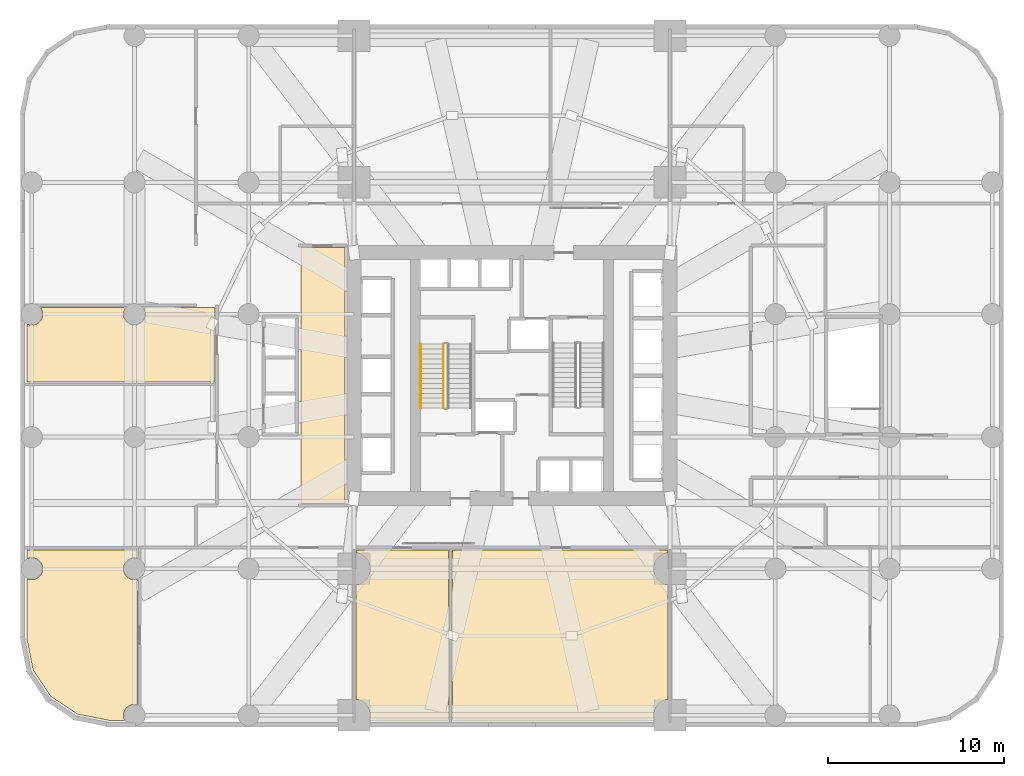
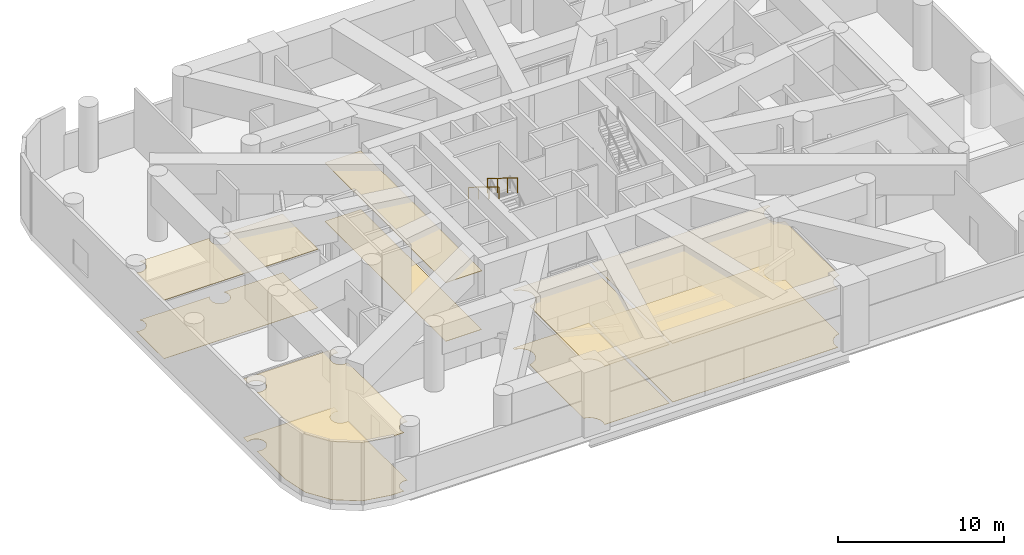
# One storey, part 9 of 10: 10 coverings, 2 railings.
"""IFC4 building model written with IfcOpenShell, lengths in metres."""

from ifc_helpers import new_model, si_unit, direction, frame, origin, origin_2d, place, context, subcontext, project, spatial, polyline, rectangle, outline, extrude, material, layer, layer_set, type_object, element, save


model = new_model("IFC4")

# Units and contexts
model_context = context("Model", 3, precision=1e-05, world=origin(), true_north=direction((0.0, 1.0)))
body_context = subcontext(model_context, "Body", "Model", "MODEL_VIEW")
ifc_project = project(units=[si_unit("LENGTHUNIT", "METRE"), si_unit("AREAUNIT", "SQUARE_METRE"), si_unit("VOLUMEUNIT", "CUBIC_METRE"), si_unit("PLANEANGLEUNIT", "RADIAN"), si_unit("MASSUNIT", "GRAM", prefix="KILO")], contexts=[model_context])

# Site, building, storey
site_placement = place(None, origin())
site = spatial("IfcSite", under=ifc_project, at=site_placement, CompositionType="ELEMENT")
building_placement = place(site_placement, origin())
building = spatial("IfcBuilding", under=site, at=building_placement, Name="Veldorim Arch Residences", CompositionType="ELEMENT")
storey_placement = place(building_placement, frame((0.0, 0.0, 20.0)))
storey = spatial("IfcBuildingStorey", under=building, at=storey_placement, Name="L05", CompositionType="ELEMENT", Elevation=20.0)

# Railing
ifc_material_1 = material(Name="Steel S355", Category="steel")
railing_type_1 = type_object("IfcRailingType", Name="Galvanised Steel Stair Safety Guardrail 1100", PredefinedType="GUARDRAIL", material=ifc_material_1)
railing_1_placement = place(storey_placement, frame((28.10009765625, 25.7900390625, 2.571533203125)))
element("IfcRailing", 1, at=railing_1_placement, inside=storey, type_object=railing_type_1, Name="L05 ST-1 stair guard 3", PredefinedType="GUARDRAIL", context=body_context, shape_type="SweptSolid", body=[
    extrude(rectangle(XDim=0.048095703125, YDim=0.048095703125, at=origin_2d()), frame((0.0, 0.0, 1.076171875), z_axis=(0.0, -0.852865859571, 0.52213008492), x_axis=(1.0, 0.0, 0.0)), (0.0, 0.0, 1.0), 4.26806640625),
    extrude(rectangle(XDim=0.0419921875, YDim=0.0419921875, at=origin_2d()), origin(), (0.0, 0.0, 1.0), 1.052001953125),
    extrude(rectangle(XDim=0.0419921875, YDim=0.0419921875, at=origin_2d()), frame((0.0, -1.21337890625, 0.742919921875)), (0.0, 0.0, 1.0), 1.052001953125),
    extrude(rectangle(XDim=0.0419921875, YDim=0.0419921875, at=origin_2d()), frame((0.0, -2.4267578125, 1.485595703125)), (0.0, 0.0, 1.0), 1.052001953125),
    extrude(rectangle(XDim=0.0419921875, YDim=0.0419921875, at=origin_2d()), frame((0.0, -3.64013671875, 2.228515625)), (0.0, 0.0, 1.0), 1.052001953125),
])

# Coverings
ifc_material_2 = material(Name="Acoustic Gypsum & Mineral Fibre", Category="gypsum")
ifc_layer_1 = layer(ifc_material_2, 0.034912109375, Name="Perforated Acoustic Mineral-Fibre Ceiling 35")
ifc_layer_set_1 = layer_set([ifc_layer_1], Name="Acoustic Gypsum & Mineral Fibre")
covering_type_1 = type_object("IfcCoveringType", Name="Perforated Acoustic Mineral-Fibre Ceiling 35", PredefinedType="CEILING", material=ifc_layer_set_1)
covering_1_placement = place(storey_placement, frame((0.0, 0.0, 4.294921875)))
element("IfcCovering", 2, at=covering_1_placement, inside=storey, type_object=covering_type_1, Name="L05 acoustic suspended ceiling 01", PredefinedType="CEILING", context=body_context, shape_type="SweptSolid", body=[
    extrude(outline(polyline([(4.3701171875, 9.036376953125), (4.3701171875, 12.4453125), (4.48828125, 12.396240234375), (4.64990234375, 12.375), (4.811767578125, 12.396240234375), (4.96240234375, 12.458740234375), (5.091796875, 12.55810546875), (5.19140625, 12.6875), (5.253662109375, 12.838134765625), (5.27490234375, 13.0), (5.253662109375, 13.161865234375), (5.19140625, 13.3125), (5.091796875, 13.44189453125), (4.96240234375, 13.541259765625), (4.811767578125, 13.603759765625), (4.64990234375, 13.625), (4.48828125, 13.603759765625), (4.3701171875, 13.5546875), (4.3701171875, 14.080078125), (10.679931640625, 14.080078125), (10.679931640625, 13.59619140625), (10.661865234375, 13.603759765625), (10.5, 13.625), (10.338134765625, 13.603759765625), (10.1875, 13.541259765625), (10.05810546875, 13.44189453125), (9.958740234375, 13.3125), (9.896240234375, 13.161865234375), (9.875, 13.0), (9.896240234375, 12.838134765625), (9.958740234375, 12.6875), (10.05810546875, 12.55810546875), (10.1875, 12.458740234375), (10.338134765625, 12.396240234375), (10.5, 12.375), (10.661865234375, 12.396240234375), (10.679931640625, 12.40380859375), (10.679931640625, 5.24609375), (10.661865234375, 5.253662109375), (10.5, 5.27490234375), (10.338134765625, 5.253662109375), (10.1875, 5.19140625), (10.05810546875, 5.091796875), (9.958740234375, 4.96240234375), (9.896240234375, 4.811767578125), (9.875, 4.64990234375), (9.896240234375, 4.48828125), (9.9453125, 4.3701171875), (9.036376953125, 4.3701171875), (7.23095703125, 4.72900390625), (5.731201171875, 5.731201171875), (4.72900390625, 7.23095703125), (4.3701171875, 9.036376953125)])), origin(), (0.0, 0.0, 1.0), 0.03515625),
])
covering_2_placement = place(storey_placement, frame((0.0, 0.0, 4.294921875)))
element("IfcCovering", 3, at=covering_2_placement, inside=storey, type_object=covering_type_1, Name="L05 acoustic suspended ceiling 02", PredefinedType="CEILING", context=body_context, shape_type="SweptSolid", body=[
    extrude(outline(polyline([(4.3701171875, 26.9453125), (4.48828125, 26.896240234375), (4.64990234375, 26.875), (4.811767578125, 26.896240234375), (4.96240234375, 26.958740234375), (5.091796875, 27.05810546875), (5.19140625, 27.1875), (5.253662109375, 27.338134765625), (5.27490234375, 27.5), (5.253662109375, 27.661865234375), (5.19140625, 27.8125), (5.139404296875, 27.8798828125), (10.010498046875, 27.8798828125), (9.958740234375, 27.8125), (9.896240234375, 27.661865234375), (9.875, 27.5), (9.896240234375, 27.338134765625), (9.958740234375, 27.1875), (10.05810546875, 27.05810546875), (10.1875, 26.958740234375), (10.338134765625, 26.896240234375), (10.5, 26.875), (10.661865234375, 26.896240234375), (10.8125, 26.958740234375), (10.94189453125, 27.05810546875), (11.041259765625, 27.1875), (11.103759765625, 27.338134765625), (11.125, 27.5), (11.103759765625, 27.661865234375), (11.041259765625, 27.8125), (10.989501953125, 27.8798828125), (15.080078125, 27.8798828125), (15.080078125, 23.6201171875), (4.3701171875, 23.6201171875), (4.3701171875, 26.9453125)])), origin(), (0.0, 0.0, 1.0), 0.03515625),
])
covering_3_placement = place(storey_placement, frame((0.0, 0.0, 4.294921875)))
element("IfcCovering", 4, at=covering_3_placement, inside=storey, type_object=covering_type_1, Name="L05 acoustic suspended ceiling 03", PredefinedType="CEILING", context=body_context, shape_type="SweptSolid", body=[
    extrude(outline(polyline([(22.47998046875, 31.280029296875), (22.47998046875, 16.719970703125), (19.969970703125, 16.719970703125), (19.969970703125, 31.280029296875), (22.47998046875, 31.280029296875)])), origin(), (0.0, 0.0, 1.0), 0.03515625),
])
covering_4_placement = place(storey_placement, frame((0.0, 0.0, 4.294921875)))
element("IfcCovering", 5, at=covering_4_placement, inside=storey, type_object=covering_type_1, Name="L05 acoustic suspended ceiling 05", PredefinedType="CEILING", context=body_context, shape_type="SweptSolid", body=[
    extrude(outline(polyline([(28.3798828125, 14.080078125), (28.3798828125, 4.3701171875), (23.876708984375, 4.3701171875), (23.8935546875, 4.41064453125), (23.925048828125, 4.64990234375), (23.8935546875, 4.889404296875), (23.801025390625, 5.112548828125), (23.654052734375, 5.30419921875), (23.46240234375, 5.451171875), (23.239501953125, 5.54345703125), (23.1201171875, 5.55908203125), (23.1201171875, 12.0908203125), (23.239501953125, 12.1064453125), (23.46240234375, 12.198974609375), (23.654052734375, 12.345947265625), (23.801025390625, 12.53759765625), (23.8935546875, 12.760498046875), (23.925048828125, 13.0), (23.8935546875, 13.239501953125), (23.801025390625, 13.46240234375), (23.654052734375, 13.654052734375), (23.46240234375, 13.801025390625), (23.239501953125, 13.8935546875), (23.1201171875, 13.9091796875), (23.1201171875, 14.080078125), (28.3798828125, 14.080078125)])), origin(), (0.0, 0.0, 1.0), 0.03515625),
])
covering_5_placement = place(storey_placement, frame((0.0, 0.0, 4.294921875)))
element("IfcCovering", 6, at=covering_5_placement, inside=storey, type_object=covering_type_1, Name="L05 acoustic suspended ceiling 06", PredefinedType="CEILING", context=body_context, shape_type="SweptSolid", body=[
    extrude(outline(polyline([(40.8798828125, 14.080078125), (40.8798828125, 13.9091796875), (40.760498046875, 13.8935546875), (40.53759765625, 13.801025390625), (40.345947265625, 13.654052734375), (40.198974609375, 13.46240234375), (40.1064453125, 13.239501953125), (40.074951171875, 13.0), (40.1064453125, 12.760498046875), (40.198974609375, 12.53759765625), (40.345947265625, 12.345947265625), (40.53759765625, 12.198974609375), (40.760498046875, 12.1064453125), (40.8798828125, 12.0908203125), (40.8798828125, 5.55908203125), (40.760498046875, 5.54345703125), (40.53759765625, 5.451171875), (40.345947265625, 5.30419921875), (40.198974609375, 5.112548828125), (40.1064453125, 4.889404296875), (40.074951171875, 4.64990234375), (40.1064453125, 4.41064453125), (40.123291015625, 4.3701171875), (28.6201171875, 4.3701171875), (28.6201171875, 14.080078125), (40.8798828125, 14.080078125)])), origin(), (0.0, 0.0, 1.0), 0.03515625),
])
ifc_material_3 = material(Name="Porcelain Ceramic Tile", Category="ceramic")
ifc_layer_2 = layer(ifc_material_3, 0.02001953125, Name="Slip-Resistant Porcelain & Vinyl Floor Finish 20")
ifc_layer_set_2 = layer_set([ifc_layer_2], Name="Porcelain Ceramic Tile")
covering_type_2 = type_object("IfcCoveringType", Name="Slip-Resistant Porcelain & Vinyl Floor Finish 20", PredefinedType="FLOORING", material=ifc_layer_set_2)
covering_6_placement = place(storey_placement, origin())
element("IfcCovering", 7, at=covering_6_placement, inside=storey, type_object=covering_type_2, Name="L05 porcelain floor finish 01", PredefinedType="FLOORING", context=body_context, shape_type="SweptSolid", body=[
    extrude(outline(polyline([(4.3701171875, 9.036376953125), (4.3701171875, 12.4453125), (4.48828125, 12.396240234375), (4.64990234375, 12.375), (4.811767578125, 12.396240234375), (4.96240234375, 12.458740234375), (5.091796875, 12.55810546875), (5.19140625, 12.6875), (5.253662109375, 12.838134765625), (5.27490234375, 13.0), (5.253662109375, 13.161865234375), (5.19140625, 13.3125), (5.091796875, 13.44189453125), (4.96240234375, 13.541259765625), (4.811767578125, 13.603759765625), (4.64990234375, 13.625), (4.48828125, 13.603759765625), (4.3701171875, 13.5546875), (4.3701171875, 14.080078125), (10.679931640625, 14.080078125), (10.679931640625, 13.59619140625), (10.661865234375, 13.603759765625), (10.5, 13.625), (10.338134765625, 13.603759765625), (10.1875, 13.541259765625), (10.05810546875, 13.44189453125), (9.958740234375, 13.3125), (9.896240234375, 13.161865234375), (9.875, 13.0), (9.896240234375, 12.838134765625), (9.958740234375, 12.6875), (10.05810546875, 12.55810546875), (10.1875, 12.458740234375), (10.338134765625, 12.396240234375), (10.5, 12.375), (10.661865234375, 12.396240234375), (10.679931640625, 12.40380859375), (10.679931640625, 5.24609375), (10.661865234375, 5.253662109375), (10.5, 5.27490234375), (10.338134765625, 5.253662109375), (10.1875, 5.19140625), (10.05810546875, 5.091796875), (9.958740234375, 4.96240234375), (9.896240234375, 4.811767578125), (9.875, 4.64990234375), (9.896240234375, 4.48828125), (9.9453125, 4.3701171875), (9.036376953125, 4.3701171875), (7.23095703125, 4.72900390625), (5.731201171875, 5.731201171875), (4.72900390625, 7.23095703125), (4.3701171875, 9.036376953125)])), origin(), (0.0, 0.0, 1.0), 0.02001953125),
])
covering_7_placement = place(storey_placement, origin())
element("IfcCovering", 8, at=covering_7_placement, inside=storey, type_object=covering_type_2, Name="L05 porcelain floor finish 02", PredefinedType="FLOORING", context=body_context, shape_type="SweptSolid", body=[
    extrude(outline(polyline([(4.3701171875, 26.9453125), (4.48828125, 26.896240234375), (4.64990234375, 26.875), (4.811767578125, 26.896240234375), (4.96240234375, 26.958740234375), (5.091796875, 27.05810546875), (5.19140625, 27.1875), (5.253662109375, 27.338134765625), (5.27490234375, 27.5), (5.253662109375, 27.661865234375), (5.19140625, 27.8125), (5.139404296875, 27.8798828125), (10.010498046875, 27.8798828125), (9.958740234375, 27.8125), (9.896240234375, 27.661865234375), (9.875, 27.5), (9.896240234375, 27.338134765625), (9.958740234375, 27.1875), (10.05810546875, 27.05810546875), (10.1875, 26.958740234375), (10.338134765625, 26.896240234375), (10.5, 26.875), (10.661865234375, 26.896240234375), (10.8125, 26.958740234375), (10.94189453125, 27.05810546875), (11.041259765625, 27.1875), (11.103759765625, 27.338134765625), (11.125, 27.5), (11.103759765625, 27.661865234375), (11.041259765625, 27.8125), (10.989501953125, 27.8798828125), (15.080078125, 27.8798828125), (15.080078125, 23.6201171875), (4.3701171875, 23.6201171875), (4.3701171875, 26.9453125)])), origin(), (0.0, 0.0, 1.0), 0.02001953125),
])
covering_8_placement = place(storey_placement, origin())
element("IfcCovering", 9, at=covering_8_placement, inside=storey, type_object=covering_type_2, Name="L05 porcelain floor finish 03", PredefinedType="FLOORING", context=body_context, shape_type="SweptSolid", body=[
    extrude(outline(polyline([(22.47998046875, 31.280029296875), (22.47998046875, 16.719970703125), (19.969970703125, 16.719970703125), (19.969970703125, 31.280029296875), (22.47998046875, 31.280029296875)])), origin(), (0.0, 0.0, 1.0), 0.02001953125),
])
covering_9_placement = place(storey_placement, origin())
element("IfcCovering", 10, at=covering_9_placement, inside=storey, type_object=covering_type_2, Name="L05 porcelain floor finish 05", PredefinedType="FLOORING", context=body_context, shape_type="SweptSolid", body=[
    extrude(outline(polyline([(28.3798828125, 14.080078125), (28.3798828125, 4.3701171875), (23.876708984375, 4.3701171875), (23.8935546875, 4.41064453125), (23.925048828125, 4.64990234375), (23.8935546875, 4.889404296875), (23.801025390625, 5.112548828125), (23.654052734375, 5.30419921875), (23.46240234375, 5.451171875), (23.239501953125, 5.54345703125), (23.1201171875, 5.55908203125), (23.1201171875, 12.0908203125), (23.239501953125, 12.1064453125), (23.46240234375, 12.198974609375), (23.654052734375, 12.345947265625), (23.801025390625, 12.53759765625), (23.8935546875, 12.760498046875), (23.925048828125, 13.0), (23.8935546875, 13.239501953125), (23.801025390625, 13.46240234375), (23.654052734375, 13.654052734375), (23.46240234375, 13.801025390625), (23.239501953125, 13.8935546875), (23.1201171875, 13.9091796875), (23.1201171875, 14.080078125), (28.3798828125, 14.080078125)])), origin(), (0.0, 0.0, 1.0), 0.02001953125),
])
covering_10_placement = place(storey_placement, origin())
element("IfcCovering", 11, at=covering_10_placement, inside=storey, type_object=covering_type_2, Name="L05 porcelain floor finish 06", PredefinedType="FLOORING", context=body_context, shape_type="SweptSolid", body=[
    extrude(outline(polyline([(40.8798828125, 14.080078125), (40.8798828125, 13.9091796875), (40.760498046875, 13.8935546875), (40.53759765625, 13.801025390625), (40.345947265625, 13.654052734375), (40.198974609375, 13.46240234375), (40.1064453125, 13.239501953125), (40.074951171875, 13.0), (40.1064453125, 12.760498046875), (40.198974609375, 12.53759765625), (40.345947265625, 12.345947265625), (40.53759765625, 12.198974609375), (40.760498046875, 12.1064453125), (40.8798828125, 12.0908203125), (40.8798828125, 5.55908203125), (40.760498046875, 5.54345703125), (40.53759765625, 5.451171875), (40.345947265625, 5.30419921875), (40.198974609375, 5.112548828125), (40.1064453125, 4.889404296875), (40.074951171875, 4.64990234375), (40.1064453125, 4.41064453125), (40.123291015625, 4.3701171875), (28.6201171875, 4.3701171875), (28.6201171875, 14.080078125), (40.8798828125, 14.080078125)])), origin(), (0.0, 0.0, 1.0), 0.02001953125),
])

# Railing
ifc_material_4 = material(Name="Stainless Steel", Category="steel")
railing_type_2 = type_object("IfcRailingType", Name="Tubular Steel Continuous Wall Handrail 900", PredefinedType="HANDRAIL", material=ifc_material_4)
railing_2_placement = place(storey_placement, frame((26.800048828125, 25.7900390625, 2.571533203125)))
element("IfcRailing", 12, at=railing_2_placement, inside=storey, type_object=railing_type_2, Name="L05 ST-1 stair handrail 2", PredefinedType="HANDRAIL", context=body_context, shape_type="SweptSolid", body=[
    extrude(rectangle(XDim=0.048095703125, YDim=0.048095703125, at=origin_2d()), frame((0.0, 0.0, 0.8759765625), z_axis=(0.0, -0.852865859571, 0.52213008492), x_axis=(1.0, 0.0, 0.0)), (0.0, 0.0, 1.0), 4.26806640625),
    extrude(rectangle(XDim=0.0419921875, YDim=0.0419921875, at=origin_2d()), origin(), (0.0, 0.0, 1.0), 0.851806640625),
    extrude(rectangle(XDim=0.0419921875, YDim=0.0419921875, at=origin_2d()), frame((0.0, -1.21337890625, 0.742919921875)), (0.0, 0.0, 1.0), 0.851806640625),
    extrude(rectangle(XDim=0.0419921875, YDim=0.0419921875, at=origin_2d()), frame((0.0, -2.4267578125, 1.485595703125)), (0.0, 0.0, 1.0), 0.851806640625),
    extrude(rectangle(XDim=0.0419921875, YDim=0.0419921875, at=origin_2d()), frame((0.0, -3.64013671875, 2.228515625)), (0.0, 0.0, 1.0), 0.851806640625),
])

save(model, "model.ifc")
